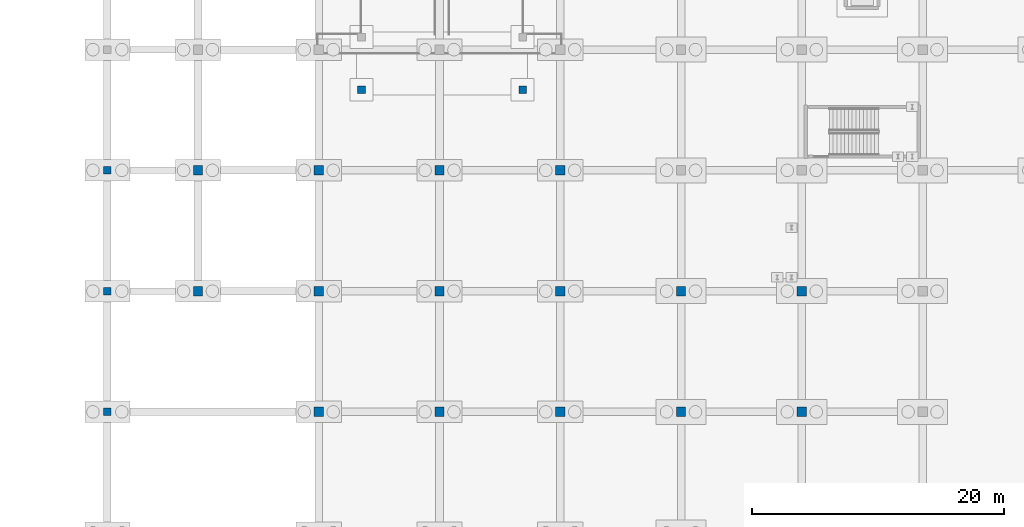
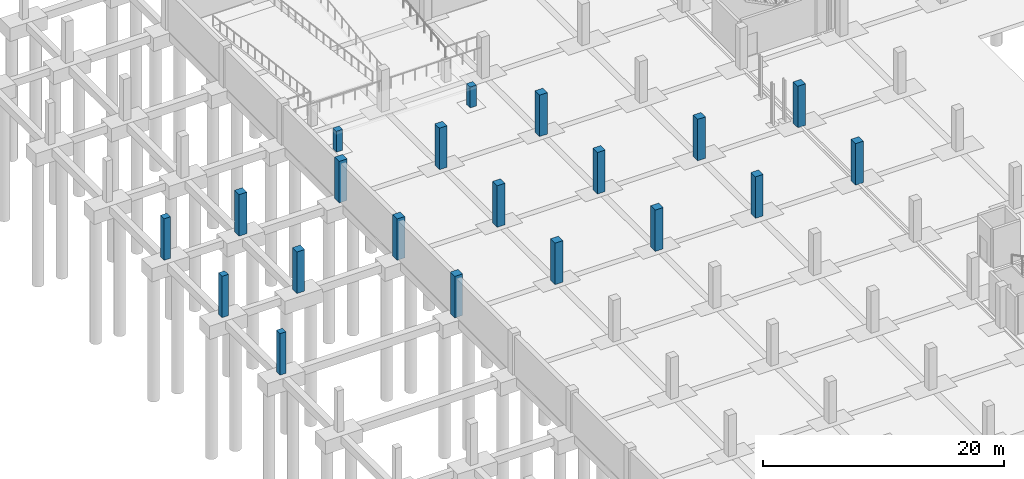
# One storey, part 22 of 54: 20 columns.
"""IFC4 building model written with IfcOpenShell, lengths in metres."""

from ifc_helpers import new_model, si_unit, direction, frame, origin, origin_2d, place, context, subcontext, project, spatial, rectangle, extrude, material, material_profile, profile_set, type_object, element, save


model = new_model("IFC4")

# Units and contexts
model_context = context("Model", 3, precision=1e-05, world=origin(), true_north=direction((0.0, 1.0)))
body_context = subcontext(model_context, "Body", "Model", "MODEL_VIEW")
ifc_project = project(units=[si_unit("LENGTHUNIT", "METRE"), si_unit("AREAUNIT", "SQUARE_METRE"), si_unit("VOLUMEUNIT", "CUBIC_METRE"), si_unit("PLANEANGLEUNIT", "RADIAN"), si_unit("MASSUNIT", "GRAM", prefix="KILO")], contexts=[model_context])

# Site, building, storey
site_placement = place(None, origin())
site = spatial("IfcSite", under=ifc_project, at=site_placement, CompositionType="ELEMENT")
building_placement = place(site_placement, origin())
building = spatial("IfcBuilding", under=site, at=building_placement, Name="Zevrakil Square Congress Hotel", CompositionType="ELEMENT")
storey_placement = place(building_placement, frame((0.0, 0.0, -8.39990234375)))
storey = spatial("IfcBuildingStorey", under=building, at=storey_placement, Name="B2", CompositionType="ELEMENT", Elevation=-8.39990234375)

# Columns
ifc_material_1 = material(Name="Concrete C40/50", Category="concrete")
ifc_material_profile_1 = material_profile(ifc_material_1, rectangle(XDim=0.60009765625, YDim=0.60009765625, at=origin_2d()), Name="RC 600x600")
ifc_profile_set_1 = profile_set([ifc_material_profile_1], Name="Concrete C40/50")
column_type_1 = type_object("IfcColumnType", Name="COL-RC600", PredefinedType="COLUMN", material=ifc_profile_set_1)
for number, where, z_axis, x_axis, name in (
    (1, (0.0, 64.800048828125, 0.0), (0.0, 0.0, 1.0), (1.0, 0.0, 0.0), "B2 column C-008"),
    (2, (0.0, 74.39990234375, 0.0), (0.0, 0.0, 1.0), (1.0, 0.0, 0.0), "B2 column C-009"),
    (3, (0.0, 84.0, 0.0), (0.0, 0.0, 1.0), (1.0, 0.0, 0.0), "B2 column C-010"),
):
    element("IfcColumn", number, at=place(storey_placement, frame(where, z_axis=z_axis, x_axis=x_axis)), inside=storey, type_object=column_type_1, Name=name, PredefinedType="COLUMN", context=body_context, shape_type="SweptSolid", body=[
        extrude(rectangle(XDim=0.60009765625, YDim=0.60009765625, at=origin_2d()), origin(), (0.0, 0.0, 1.0), 4.199951171875),
    ])
for number, where, z_axis, x_axis, name in (
    (4, (20.199951171875, 90.39990234375, 0.0), (0.0, 0.0, 1.0), (1.0, 0.0, 0.0), "B2 vehicle ramp landing support column VRC-1"),
    (5, (33.0, 90.39990234375, 0.0), (0.0, 0.0, 1.0), (1.0, 0.0, 0.0), "B2 vehicle ramp landing support column VRC-2"),
):
    element("IfcColumn", number, at=place(storey_placement, frame(where, z_axis=z_axis, x_axis=x_axis)), inside=storey, type_object=column_type_1, Name=name, PredefinedType="COLUMN", context=body_context, shape_type="SweptSolid", body=[
        extrude(rectangle(XDim=0.60009765625, YDim=0.60009765625, at=origin_2d()), origin(), (0.0, 0.0, 1.0), 2.099853515625),
    ])
ifc_material_2 = material(Name="Concrete C40/50", Category="concrete")
ifc_material_profile_2 = material_profile(ifc_material_2, rectangle(XDim=0.75, YDim=0.75, at=origin_2d()), Name="RC 750x750")
ifc_profile_set_2 = profile_set([ifc_material_profile_2], Name="Concrete C40/50")
column_type_2 = type_object("IfcColumnType", Name="COL-RC750", PredefinedType="COLUMN", material=ifc_profile_set_2)
for number, where, z_axis, x_axis, name in (
    (6, (7.199951171875, 74.39990234375, 0.0), (0.0, 0.0, 1.0), (1.0, 0.0, 0.0), "B2 column C-020"),
    (7, (7.199951171875, 84.0, 0.0), (0.0, 0.0, 1.0), (1.0, 0.0, 0.0), "B2 column C-021"),
    (8, (16.800048828125, 64.800048828125, 0.0), (0.0, 0.0, 1.0), (1.0, 0.0, 0.0), "B2 column C-033"),
    (9, (16.800048828125, 74.39990234375, 0.0), (0.0, 0.0, 1.0), (1.0, 0.0, 0.0), "B2 column C-034"),
    (10, (16.800048828125, 84.0, 0.0), (0.0, 0.0, 1.0), (1.0, 0.0, 0.0), "B2 column C-035"),
    (11, (26.39990234375, 64.800048828125, 0.0), (0.0, 0.0, 1.0), (1.0, 0.0, 0.0), "B2 column C-047"),
    (12, (26.39990234375, 74.39990234375, 0.0), (0.0, 0.0, 1.0), (1.0, 0.0, 0.0), "B2 column C-048"),
    (13, (26.39990234375, 84.0, 0.0), (0.0, 0.0, 1.0), (1.0, 0.0, 0.0), "B2 column C-049"),
    (14, (36.0, 64.800048828125, 0.0), (0.0, 0.0, 1.0), (1.0, 0.0, 0.0), "B2 column C-060"),
    (15, (36.0, 74.39990234375, 0.0), (0.0, 0.0, 1.0), (1.0, 0.0, 0.0), "B2 column C-061"),
    (16, (36.0, 84.0, 0.0), (0.0, 0.0, 1.0), (1.0, 0.0, 0.0), "B2 column C-062"),
    (17, (45.60009765625, 64.800048828125, 0.0), (0.0, 0.0, 1.0), (1.0, 0.0, 0.0), "B2 column C-074"),
    (18, (45.60009765625, 74.39990234375, 0.0), (0.0, 0.0, 1.0), (1.0, 0.0, 0.0), "B2 column C-075"),
    (19, (55.199951171875, 64.800048828125, 0.0), (0.0, 0.0, 1.0), (1.0, 0.0, 0.0), "B2 column C-092"),
    (20, (55.199951171875, 74.39990234375, 0.0), (0.0, 0.0, 1.0), (1.0, 0.0, 0.0), "B2 column C-093"),
):
    element("IfcColumn", number, at=place(storey_placement, frame(where, z_axis=z_axis, x_axis=x_axis)), inside=storey, type_object=column_type_2, Name=name, PredefinedType="COLUMN", context=body_context, shape_type="SweptSolid", body=[
        extrude(rectangle(XDim=0.75, YDim=0.75, at=origin_2d()), origin(), (0.0, 0.0, 1.0), 4.199951171875),
    ])

save(model, "model.ifc")
